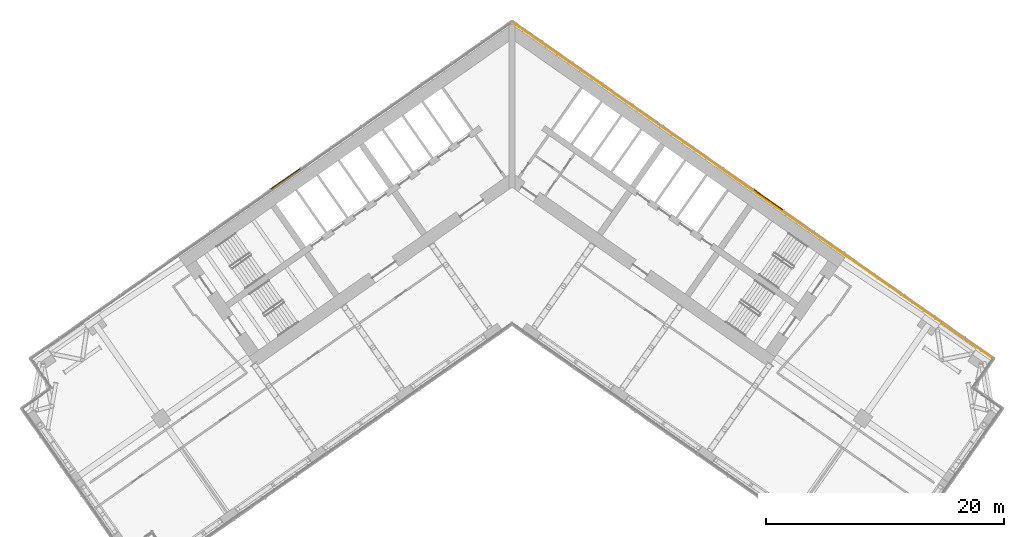
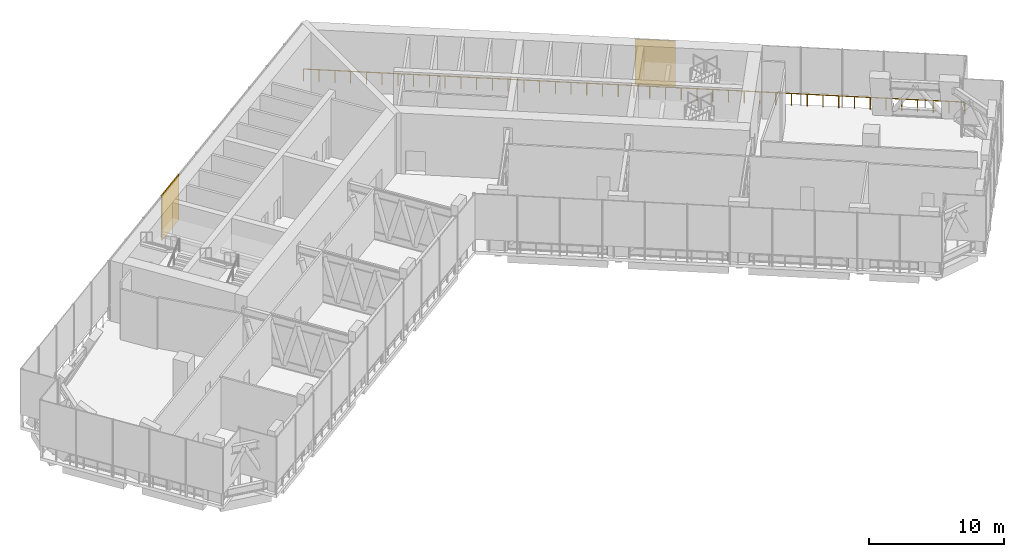
# One storey, part 22 of 24: 2 shading devices, 1 railing.
"""IFC4 building model written with IfcOpenShell, lengths in metres."""

from ifc_helpers import new_model, si_unit, direction, frame, origin, origin_2d, place, context, subcontext, project, spatial, rectangle, circle, extrude, material, layer, layer_set, type_object, element, save


model = new_model("IFC4")

# Units and contexts
model_context = context("Model", 3, precision=1e-05, world=origin(), true_north=direction((0.0, 1.0)))
body_context = subcontext(model_context, "Body", "Model", "MODEL_VIEW")
ifc_project = project(units=[si_unit("LENGTHUNIT", "METRE"), si_unit("AREAUNIT", "SQUARE_METRE"), si_unit("VOLUMEUNIT", "CUBIC_METRE"), si_unit("PLANEANGLEUNIT", "RADIAN"), si_unit("MASSUNIT", "GRAM", prefix="KILO")], contexts=[model_context])

# Site, building, storey
site_placement = place(None, origin())
site = spatial("IfcSite", under=ifc_project, at=site_placement, CompositionType="ELEMENT")
building_placement = place(site_placement, origin())
building = spatial("IfcBuilding", under=site, at=building_placement, Name="Tel Ilan Convention Tower", CompositionType="ELEMENT")
storey_placement = place(building_placement, frame((0.0, 0.0, 126.5)))
storey = spatial("IfcBuildingStorey", under=building, at=storey_placement, Name="L28", CompositionType="ELEMENT", Elevation=126.5)

# Shading devices
ifc_material_1 = material(Name="Perforated aluminium sheet, bronze anodised", Category="aluminium")
ifc_layer = layer(ifc_material_1, 0.080078125)
ifc_layer_set = layer_set([ifc_layer], Name="PERFORATED SCREEN 80")
shading_device_type = type_object("IfcShadingDeviceType", Name="PERFORATED SCREEN 80", PredefinedType="USERDEFINED", material=ifc_layer_set)
for number, where, z_axis, x_axis, name in (
    (1, (21.56396484375, -2.281005859375, 1.099853515625), (0.0, 0.0, 1.0), (-0.819152044289, 0.573576436351, 0.0), "SCREEN"),
    (2, (-19.02685546875, -0.504638671875, 1.099853515625), (0.0, 0.0, 1.0), (-0.819152044289, -0.573576436351, 0.0), "SCREEN"),
):
    element("IfcShadingDevice", number, at=place(storey_placement, frame(where, z_axis=z_axis, x_axis=x_axis)), inside=storey, type_object=shading_device_type, Name=name, ObjectType="SCREEN", PredefinedType="USERDEFINED", context=body_context, shape_type="SweptSolid", body=[
        extrude(rectangle(XDim=3.037109375, YDim=0.080078125, at=origin_2d()), origin(), (0.0, 0.0, 1.0), 4.1201171875),
    ])

# Railing
ifc_material_2 = material(Name="Stainless steel S316", Category="steel")
railing_type = type_object("IfcRailingType", Name="REFUGE EDGE GUARD 1100", PredefinedType="GUARDRAIL", material=ifc_material_2)
railing_placement = place(storey_placement, frame((0.0, 12.647216796875, 0.0)))
element("IfcRailing", 3, at=railing_placement, inside=storey, type_object=railing_type, Name="Refuge edge guard 22.R07", PredefinedType="GUARDRAIL", context=body_context, shape_type="SweptSolid", body=[
    extrude(circle(Radius=0.02490234375, at=origin_2d()), frame((0.0, 0.0, 1.0751953125), z_axis=(0.819152136122, -0.5735763052, 0.0), x_axis=(0.5735763052, 0.819152136122, 0.0)), (0.0, 0.0, 1.0), 49.314208984375),
    extrude(circle(Radius=0.02490234375, at=origin_2d()), origin(), (0.0, 0.0, 1.0), 1.050048828125),
    extrude(circle(Radius=0.02490234375, at=origin_2d()), frame((0.9619140625, -0.67333984375, 0.0)), (0.0, 0.0, 1.0), 1.050048828125),
    extrude(circle(Radius=0.02490234375, at=origin_2d()), frame((1.923583984375, -1.346923828125, 0.0)), (0.0, 0.0, 1.0), 1.050048828125),
    extrude(circle(Radius=0.02490234375, at=origin_2d()), frame((2.885498046875, -2.0205078125, 0.0)), (0.0, 0.0, 1.0), 1.050048828125),
    extrude(circle(Radius=0.02490234375, at=origin_2d()), frame((3.84716796875, -2.69384765625, 0.0)), (0.0, 0.0, 1.0), 1.050048828125),
    extrude(circle(Radius=0.02490234375, at=origin_2d()), frame((4.80908203125, -3.3671875, 0.0)), (0.0, 0.0, 1.0), 1.050048828125),
    extrude(circle(Radius=0.02490234375, at=origin_2d()), frame((5.770751953125, -4.040771484375, 0.0)), (0.0, 0.0, 1.0), 1.050048828125),
    extrude(circle(Radius=0.02490234375, at=origin_2d()), frame((6.732666015625, -4.71435546875, 0.0)), (0.0, 0.0, 1.0), 1.050048828125),
    extrude(circle(Radius=0.02490234375, at=origin_2d()), frame((7.6943359375, -5.3876953125, 0.0)), (0.0, 0.0, 1.0), 1.050048828125),
    extrude(circle(Radius=0.02490234375, at=origin_2d()), frame((8.65625, -6.06103515625, 0.0)), (0.0, 0.0, 1.0), 1.050048828125),
    extrude(circle(Radius=0.02490234375, at=origin_2d()), frame((9.617919921875, -6.734619140625, 0.0)), (0.0, 0.0, 1.0), 1.050048828125),
    extrude(circle(Radius=0.02490234375, at=origin_2d()), frame((10.579833984375, -7.408203125, 0.0)), (0.0, 0.0, 1.0), 1.050048828125),
    extrude(circle(Radius=0.02490234375, at=origin_2d()), frame((11.541748046875, -8.08154296875, 0.0)), (0.0, 0.0, 1.0), 1.050048828125),
    extrude(circle(Radius=0.02490234375, at=origin_2d()), frame((12.50341796875, -8.7548828125, 0.0)), (0.0, 0.0, 1.0), 1.050048828125),
    extrude(circle(Radius=0.02490234375, at=origin_2d()), frame((13.46533203125, -9.428466796875, 0.0)), (0.0, 0.0, 1.0), 1.050048828125),
    extrude(circle(Radius=0.02490234375, at=origin_2d()), frame((14.427001953125, -10.10205078125, 0.0)), (0.0, 0.0, 1.0), 1.050048828125),
    extrude(circle(Radius=0.02490234375, at=origin_2d()), frame((15.388916015625, -10.775390625, 0.0)), (0.0, 0.0, 1.0), 1.050048828125),
    extrude(circle(Radius=0.02490234375, at=origin_2d()), frame((16.3505859375, -11.44873046875, 0.0)), (0.0, 0.0, 1.0), 1.050048828125),
    extrude(circle(Radius=0.02490234375, at=origin_2d()), frame((17.3125, -12.122314453125, 0.0)), (0.0, 0.0, 1.0), 1.050048828125),
    extrude(circle(Radius=0.02490234375, at=origin_2d()), frame((18.274169921875, -12.7958984375, 0.0)), (0.0, 0.0, 1.0), 1.050048828125),
    extrude(circle(Radius=0.02490234375, at=origin_2d()), frame((19.236083984375, -13.46923828125, 0.0)), (0.0, 0.0, 1.0), 1.050048828125),
    extrude(circle(Radius=0.02490234375, at=origin_2d()), frame((20.19775390625, -14.142578125, 0.0)), (0.0, 0.0, 1.0), 1.050048828125),
    extrude(circle(Radius=0.02490234375, at=origin_2d()), frame((21.15966796875, -14.816162109375, 0.0)), (0.0, 0.0, 1.0), 1.050048828125),
    extrude(circle(Radius=0.02490234375, at=origin_2d()), frame((22.12158203125, -15.48974609375, 0.0)), (0.0, 0.0, 1.0), 1.050048828125),
    extrude(circle(Radius=0.02490234375, at=origin_2d()), frame((23.083251953125, -16.1630859375, 0.0)), (0.0, 0.0, 1.0), 1.050048828125),
    extrude(circle(Radius=0.02490234375, at=origin_2d()), frame((24.045166015625, -16.83642578125, 0.0)), (0.0, 0.0, 1.0), 1.050048828125),
    extrude(circle(Radius=0.02490234375, at=origin_2d()), frame((25.0068359375, -17.510009765625, 0.0)), (0.0, 0.0, 1.0), 1.050048828125),
    extrude(circle(Radius=0.02490234375, at=origin_2d()), frame((25.96875, -18.18359375, 0.0)), (0.0, 0.0, 1.0), 1.050048828125),
    extrude(circle(Radius=0.02490234375, at=origin_2d()), frame((26.930419921875, -18.85693359375, 0.0)), (0.0, 0.0, 1.0), 1.050048828125),
    extrude(circle(Radius=0.02490234375, at=origin_2d()), frame((27.892333984375, -19.5302734375, 0.0)), (0.0, 0.0, 1.0), 1.050048828125),
    extrude(circle(Radius=0.02490234375, at=origin_2d()), frame((28.85400390625, -20.203857421875, 0.0)), (0.0, 0.0, 1.0), 1.050048828125),
    extrude(circle(Radius=0.02490234375, at=origin_2d()), frame((29.81591796875, -20.87744140625, 0.0)), (0.0, 0.0, 1.0), 1.050048828125),
    extrude(circle(Radius=0.02490234375, at=origin_2d()), frame((30.77783203125, -21.55078125, 0.0)), (0.0, 0.0, 1.0), 1.050048828125),
    extrude(circle(Radius=0.02490234375, at=origin_2d()), frame((31.739501953125, -22.22412109375, 0.0)), (0.0, 0.0, 1.0), 1.050048828125),
    extrude(circle(Radius=0.02490234375, at=origin_2d()), frame((32.701416015625, -22.897705078125, 0.0)), (0.0, 0.0, 1.0), 1.050048828125),
    extrude(circle(Radius=0.02490234375, at=origin_2d()), frame((33.6630859375, -23.5712890625, 0.0)), (0.0, 0.0, 1.0), 1.050048828125),
    extrude(circle(Radius=0.02490234375, at=origin_2d()), frame((34.625, -24.24462890625, 0.0)), (0.0, 0.0, 1.0), 1.050048828125),
    extrude(circle(Radius=0.02490234375, at=origin_2d()), frame((35.586669921875, -24.91796875, 0.0)), (0.0, 0.0, 1.0), 1.050048828125),
    extrude(circle(Radius=0.02490234375, at=origin_2d()), frame((36.548583984375, -25.591552734375, 0.0)), (0.0, 0.0, 1.0), 1.050048828125),
    extrude(circle(Radius=0.02490234375, at=origin_2d()), frame((37.51025390625, -26.26513671875, 0.0)), (0.0, 0.0, 1.0), 1.050048828125),
    extrude(circle(Radius=0.02490234375, at=origin_2d()), frame((38.47216796875, -26.9384765625, 0.0)), (0.0, 0.0, 1.0), 1.050048828125),
    extrude(circle(Radius=0.02490234375, at=origin_2d()), frame((39.433837890625, -27.61181640625, 0.0)), (0.0, 0.0, 1.0), 1.050048828125),
    extrude(circle(Radius=0.02490234375, at=origin_2d()), frame((40.395751953125, -28.285400390625, 0.0)), (0.0, 0.0, 1.0), 1.050048828125),
])

save(model, "model.ifc")
